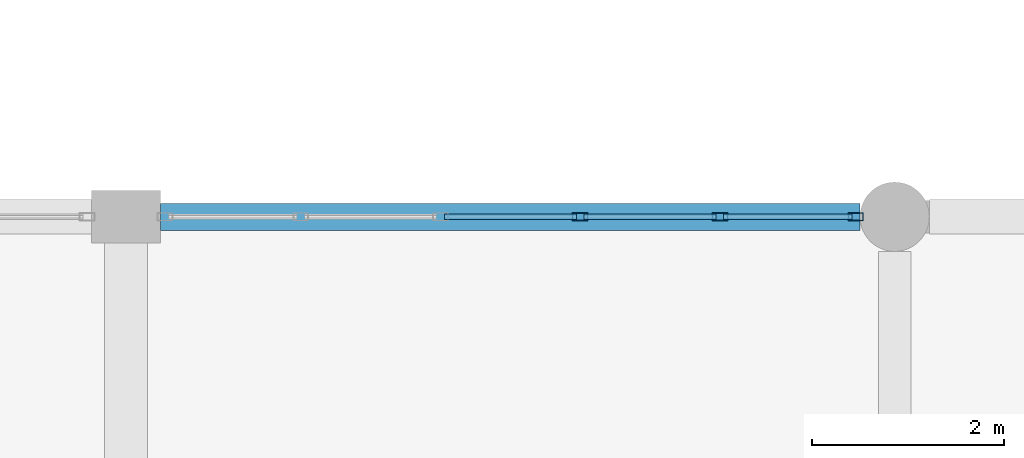
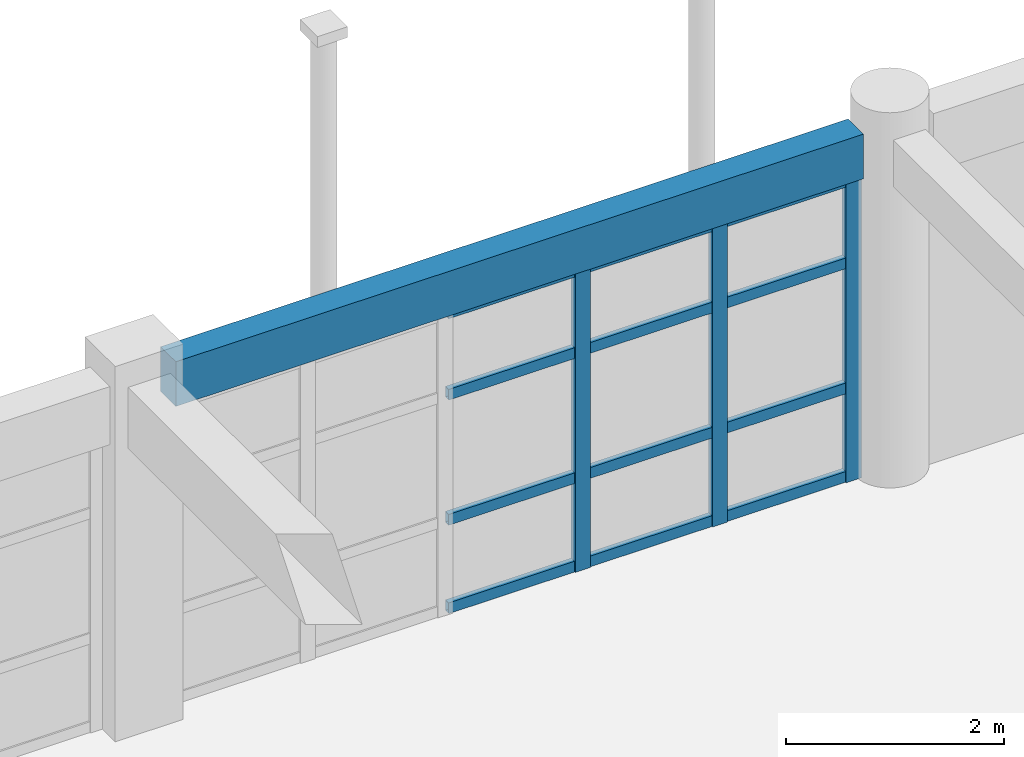
# One storey, part 75 of 195: 15 members, 1 beam, 1 element without a shape of its own.
"""IFC4 building model written with IfcOpenShell, lengths in metres."""

from ifc_helpers import new_model, si_unit, direction, frame, origin, origin_2d, place, context, subcontext, project, spatial, rectangle, hollow_rectangle, extrude, material, material_profile, profile_set, type_object, element, aggregate, save


model = new_model("IFC4")

# Units and contexts
model_context = context("Model", 3, precision=1e-05, world=origin(), true_north=direction((0.0, 1.0)))
body_context = subcontext(model_context, "Body", "Model", "MODEL_VIEW")
ifc_project = project(units=[si_unit("LENGTHUNIT", "METRE"), si_unit("AREAUNIT", "SQUARE_METRE"), si_unit("VOLUMEUNIT", "CUBIC_METRE"), si_unit("PLANEANGLEUNIT", "RADIAN"), si_unit("MASSUNIT", "GRAM", prefix="KILO")], contexts=[model_context])

# Site, building, storey
site_placement = place(None, origin())
site = spatial("IfcSite", under=ifc_project, at=site_placement, CompositionType="ELEMENT")
building_placement = place(site_placement, origin())
building = spatial("IfcBuilding", under=site, at=building_placement, Name="Kharva Crest Polytechnic", CompositionType="ELEMENT")
storey_placement = place(building_placement, frame((0.0, 0.0, 9.0)))
storey = spatial("IfcBuildingStorey", under=building, at=storey_placement, Name="L02", CompositionType="ELEMENT", Elevation=9.0)

# Curtain wall, members
ifc_material_1 = material(Name="Tempered insulated glass", Category="glass")
curtain_wall_type = type_object("IfcCurtainWallType", Name="CW-SYS-COURT", PredefinedType="USERDEFINED", material=ifc_material_1)
curtain_wall_placement = place(storey_placement, origin())
curtain_wall = element("IfcCurtainWall", 1, at=curtain_wall_placement, inside=storey, type_object=curtain_wall_type, Name="L02 Glazed Curtain Wall CW-082", ObjectType="CURTAIN WALL", PredefinedType="USERDEFINED")
ifc_material_2 = material(Name="Steel S355", Category="steel")
ifc_material_profile_1 = material_profile(ifc_material_2, hollow_rectangle(XDim=0.080078125, YDim=0.159912109375, WallThickness=0.0048828125, at=origin_2d()), Name="RHS 160X80X5.0")
ifc_profile_set_1 = profile_set([ifc_material_profile_1], Name="Steel S355")
member_type_1 = type_object("IfcMemberType", Name="CWM-RHS160X80", PredefinedType="MULLION", material=ifc_profile_set_1)
member_1_placement = place(storey_placement, frame((95.594970703125, 22.800048828125, 0.0), z_axis=(0.0, 0.0, 1.0), x_axis=(0.0, -1.0, 0.0)))
member_1 = element("IfcMember", 2, at=member_1_placement, type_object=member_type_1, Name="CW-082 mullion 1", PredefinedType="MULLION", context=body_context, shape_type="SweptSolid", body=[
    extrude(hollow_rectangle(XDim=0.080078125, YDim=0.159912109375, WallThickness=0.0048828125, at=origin_2d()), origin(), (0.0, 0.0, 1.0), 3.419921875),
])
member_2_placement = place(storey_placement, frame((94.180908203125, 22.800048828125, 0.0), z_axis=(0.0, 0.0, 1.0), x_axis=(0.0, -1.0, 0.0)))
member_2 = element("IfcMember", 3, at=member_2_placement, type_object=member_type_1, Name="CW-082 mullion 2", PredefinedType="MULLION", context=body_context, shape_type="SweptSolid", body=[
    extrude(hollow_rectangle(XDim=0.080078125, YDim=0.159912109375, WallThickness=0.0048828125, at=origin_2d()), origin(), (0.0, 0.0, 1.0), 3.419921875),
])
member_3_placement = place(storey_placement, frame((92.72705078125, 22.800048828125, 0.0), z_axis=(0.0, 0.0, 1.0), x_axis=(0.0, -1.0, 0.0)))
member_3 = element("IfcMember", 4, at=member_3_placement, type_object=member_type_1, Name="CW-082 mullion 3", PredefinedType="MULLION", context=body_context, shape_type="SweptSolid", body=[
    extrude(hollow_rectangle(XDim=0.080078125, YDim=0.159912109375, WallThickness=0.0048828125, at=origin_2d()), origin(), (0.0, 0.0, 1.0), 3.419921875),
])
ifc_material_profile_2 = material_profile(ifc_material_2, hollow_rectangle(XDim=0.06005859375, YDim=0.1201171875, WallThickness=0.00390625, at=origin_2d()), Name="RHS 120X60X4.0")
ifc_profile_set_2 = profile_set([ifc_material_profile_2], Name="Steel S355")
member_type_2 = type_object("IfcMemberType", Name="CWT-RHS120X60", PredefinedType="USERDEFINED", material=ifc_profile_set_2)
member_4_placement = place(storey_placement, frame((95.554931640625, 22.800048828125, 0.06005859375), z_axis=(-1.0, 0.0, 0.0), x_axis=(0.0, -1.0, 0.0)))
member_4 = element("IfcMember", 5, at=member_4_placement, type_object=member_type_2, Name="CW-082 transom 1.1", ObjectType="TRANSOM", PredefinedType="USERDEFINED", context=body_context, shape_type="SweptSolid", body=[
    extrude(hollow_rectangle(XDim=0.06005859375, YDim=0.1201171875, WallThickness=0.00390625, at=origin_2d()), origin(), (0.0, 0.0, 1.0), 1.333984375),
])
member_5_placement = place(storey_placement, frame((95.554931640625, 22.800048828125, 1.050048828125), z_axis=(-1.0, 0.0, 0.0), x_axis=(0.0, -1.0, 0.0)))
member_5 = element("IfcMember", 6, at=member_5_placement, type_object=member_type_2, Name="CW-082 transom 1.2", ObjectType="TRANSOM", PredefinedType="USERDEFINED", context=body_context, shape_type="SweptSolid", body=[
    extrude(hollow_rectangle(XDim=0.06005859375, YDim=0.1201171875, WallThickness=0.00390625, at=origin_2d()), origin(), (0.0, 0.0, 1.0), 1.333984375),
])
member_6_placement = place(storey_placement, frame((95.554931640625, 22.800048828125, 2.449951171875), z_axis=(-1.0, 0.0, 0.0), x_axis=(0.0, -1.0, 0.0)))
member_6 = element("IfcMember", 7, at=member_6_placement, type_object=member_type_2, Name="CW-082 transom 1.3", ObjectType="TRANSOM", PredefinedType="USERDEFINED", context=body_context, shape_type="SweptSolid", body=[
    extrude(hollow_rectangle(XDim=0.06005859375, YDim=0.1201171875, WallThickness=0.00390625, at=origin_2d()), origin(), (0.0, 0.0, 1.0), 1.333984375),
])
member_7_placement = place(storey_placement, frame((95.554931640625, 22.800048828125, 3.360107421875), z_axis=(-1.0, 0.0, 0.0), x_axis=(0.0, -1.0, 0.0)))
member_7 = element("IfcMember", 8, at=member_7_placement, type_object=member_type_2, Name="CW-082 transom 1.4", ObjectType="TRANSOM", PredefinedType="USERDEFINED", context=body_context, shape_type="SweptSolid", body=[
    extrude(hollow_rectangle(XDim=0.06005859375, YDim=0.1201171875, WallThickness=0.00390625, at=origin_2d()), origin(), (0.0, 0.0, 1.0), 1.333984375),
])
member_8_placement = place(storey_placement, frame((94.14111328125, 22.800048828125, 0.06005859375), z_axis=(-1.0, 0.0, 0.0), x_axis=(0.0, -1.0, 0.0)))
member_8 = element("IfcMember", 9, at=member_8_placement, type_object=member_type_2, Name="CW-082 transom 2.1", ObjectType="TRANSOM", PredefinedType="USERDEFINED", context=body_context, shape_type="SweptSolid", body=[
    extrude(hollow_rectangle(XDim=0.06005859375, YDim=0.1201171875, WallThickness=0.00390625, at=origin_2d()), origin(), (0.0, 0.0, 1.0), 1.3740234375),
])
member_9_placement = place(storey_placement, frame((94.14111328125, 22.800048828125, 1.050048828125), z_axis=(-1.0, 0.0, 0.0), x_axis=(0.0, -1.0, 0.0)))
member_9 = element("IfcMember", 10, at=member_9_placement, type_object=member_type_2, Name="CW-082 transom 2.2", ObjectType="TRANSOM", PredefinedType="USERDEFINED", context=body_context, shape_type="SweptSolid", body=[
    extrude(hollow_rectangle(XDim=0.06005859375, YDim=0.1201171875, WallThickness=0.00390625, at=origin_2d()), origin(), (0.0, 0.0, 1.0), 1.3740234375),
])
member_10_placement = place(storey_placement, frame((94.14111328125, 22.800048828125, 2.449951171875), z_axis=(-1.0, 0.0, 0.0), x_axis=(0.0, -1.0, 0.0)))
member_10 = element("IfcMember", 11, at=member_10_placement, type_object=member_type_2, Name="CW-082 transom 2.3", ObjectType="TRANSOM", PredefinedType="USERDEFINED", context=body_context, shape_type="SweptSolid", body=[
    extrude(hollow_rectangle(XDim=0.06005859375, YDim=0.1201171875, WallThickness=0.00390625, at=origin_2d()), origin(), (0.0, 0.0, 1.0), 1.3740234375),
])
member_11_placement = place(storey_placement, frame((94.14111328125, 22.800048828125, 3.360107421875), z_axis=(-1.0, 0.0, 0.0), x_axis=(0.0, -1.0, 0.0)))
member_11 = element("IfcMember", 12, at=member_11_placement, type_object=member_type_2, Name="CW-082 transom 2.4", ObjectType="TRANSOM", PredefinedType="USERDEFINED", context=body_context, shape_type="SweptSolid", body=[
    extrude(hollow_rectangle(XDim=0.06005859375, YDim=0.1201171875, WallThickness=0.00390625, at=origin_2d()), origin(), (0.0, 0.0, 1.0), 1.3740234375),
])
member_12_placement = place(storey_placement, frame((92.68701171875, 22.800048828125, 0.06005859375), z_axis=(-1.0, 0.0, 0.0), x_axis=(0.0, -1.0, 0.0)))
member_12 = element("IfcMember", 13, at=member_12_placement, type_object=member_type_2, Name="CW-082 transom 3.1", ObjectType="TRANSOM", PredefinedType="USERDEFINED", context=body_context, shape_type="SweptSolid", body=[
    extrude(hollow_rectangle(XDim=0.06005859375, YDim=0.1201171875, WallThickness=0.00390625, at=origin_2d()), origin(), (0.0, 0.0, 1.0), 1.3740234375),
])
member_13_placement = place(storey_placement, frame((92.68701171875, 22.800048828125, 1.050048828125), z_axis=(-1.0, 0.0, 0.0), x_axis=(0.0, -1.0, 0.0)))
member_13 = element("IfcMember", 14, at=member_13_placement, type_object=member_type_2, Name="CW-082 transom 3.2", ObjectType="TRANSOM", PredefinedType="USERDEFINED", context=body_context, shape_type="SweptSolid", body=[
    extrude(hollow_rectangle(XDim=0.06005859375, YDim=0.1201171875, WallThickness=0.00390625, at=origin_2d()), origin(), (0.0, 0.0, 1.0), 1.3740234375),
])
member_14_placement = place(storey_placement, frame((92.68701171875, 22.800048828125, 2.449951171875), z_axis=(-1.0, 0.0, 0.0), x_axis=(0.0, -1.0, 0.0)))
member_14 = element("IfcMember", 15, at=member_14_placement, type_object=member_type_2, Name="CW-082 transom 3.3", ObjectType="TRANSOM", PredefinedType="USERDEFINED", context=body_context, shape_type="SweptSolid", body=[
    extrude(hollow_rectangle(XDim=0.06005859375, YDim=0.1201171875, WallThickness=0.00390625, at=origin_2d()), origin(), (0.0, 0.0, 1.0), 1.3740234375),
])
member_15_placement = place(storey_placement, frame((92.68701171875, 22.800048828125, 3.360107421875), z_axis=(-1.0, 0.0, 0.0), x_axis=(0.0, -1.0, 0.0)))
member_15 = element("IfcMember", 16, at=member_15_placement, type_object=member_type_2, Name="CW-082 transom 3.4", ObjectType="TRANSOM", PredefinedType="USERDEFINED", context=body_context, shape_type="SweptSolid", body=[
    extrude(hollow_rectangle(XDim=0.06005859375, YDim=0.1201171875, WallThickness=0.00390625, at=origin_2d()), origin(), (0.0, 0.0, 1.0), 1.3740234375),
])
aggregate(curtain_wall, [member_1, member_2, member_3, member_4, member_5, member_6, member_7, member_8, member_9, member_10, member_11, member_12, member_13, member_14, member_15])

# Beam
ifc_material_3 = material(Name="Concrete C35/45", Category="concrete")
ifc_material_profile_3 = material_profile(ifc_material_3, rectangle(XDim=0.280029296875, YDim=0.5, at=origin_2d()), Name="RECT 280 X 500")
ifc_profile_set_3 = profile_set([ifc_material_profile_3], Name="Concrete C35/45")
beam_type = type_object("IfcBeamType", Name="SP-RC-280X500", PredefinedType="SPANDREL", material=ifc_profile_set_3)
beam_placement = place(storey_placement, frame((88.360107421875, 22.800048828125, 3.669921875), z_axis=(1.0, 0.0, 0.0), x_axis=(0.0, 1.0, 0.0)))
element("IfcBeam", 17, at=beam_placement, inside=storey, type_object=beam_type, Name="L02 Beam D/12-13", PredefinedType="SPANDREL", context=body_context, shape_type="SweptSolid", body=[
    extrude(rectangle(XDim=0.280029296875, YDim=0.5, at=origin_2d()), origin(), (0.0, 0.0, 1.0), 7.27978515625),
])

save(model, "model.ifc")
